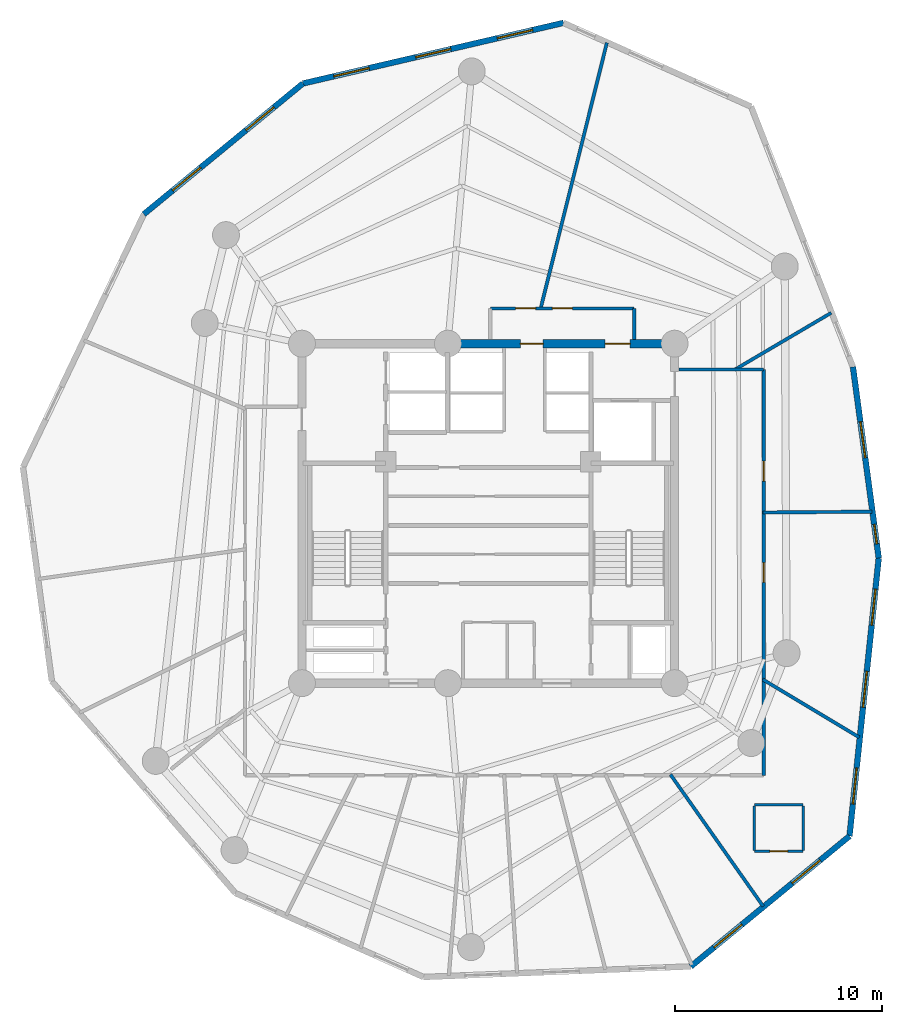
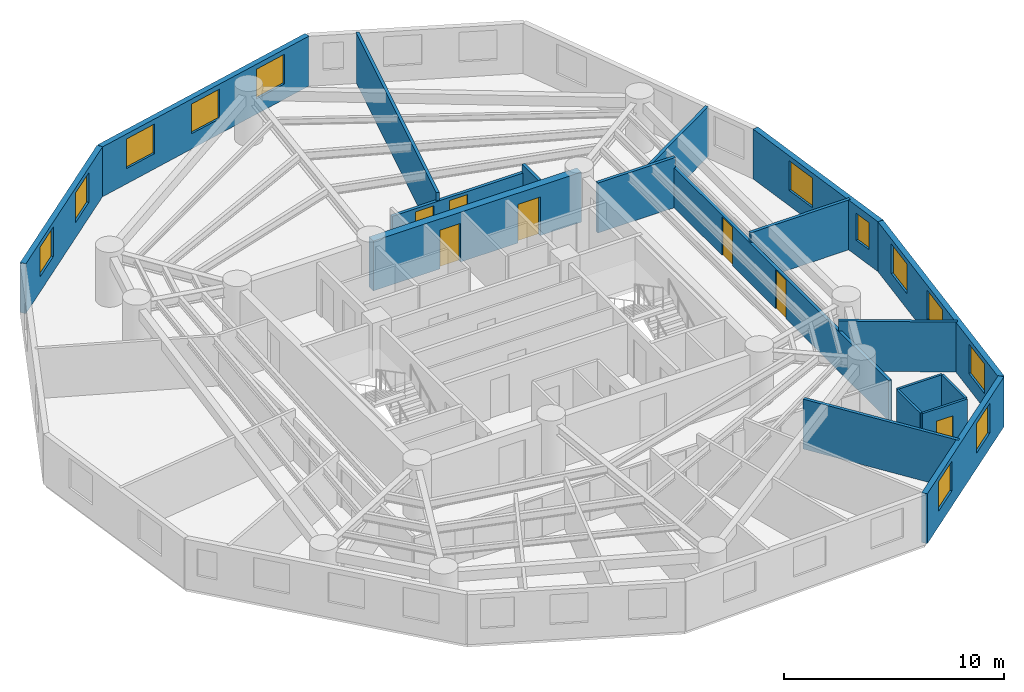
# One storey, part 5 of 7: 19 walls, 12 windows, 7 doors, 19 openings.
"""IFC4 building model written with IfcOpenShell, lengths in metres."""

from ifc_helpers import new_model, si_unit, direction, frame, frame_2d, origin, origin_with_axes, place, context, subcontext, project, spatial, rectangle, extrude, source, transform, mapped, material, layer, layer_set, type_object, element, fill, save


model = new_model("IFC4")

# Units and contexts
model_context = context("Model", 3, precision=1e-05, world=origin(), true_north=direction((0.0, 1.0)))
body_context = subcontext(model_context, "Body", "Model", "MODEL_VIEW")
ifc_project = project(units=[si_unit("LENGTHUNIT", "METRE"), si_unit("AREAUNIT", "SQUARE_METRE"), si_unit("VOLUMEUNIT", "CUBIC_METRE"), si_unit("PLANEANGLEUNIT", "RADIAN"), si_unit("MASSUNIT", "GRAM", prefix="KILO")], contexts=[model_context])

# Site, building, storey
site_placement = place(None, origin())
site = spatial("IfcSite", under=ifc_project, at=site_placement, CompositionType="ELEMENT")
building_placement = place(site_placement, origin())
building = spatial("IfcBuilding", under=site, at=building_placement, Name="Karkom Vertical University and Central Library", CompositionType="ELEMENT")
storey_placement = place(building_placement, frame((0.0, 0.0, 205.35009765625)))
storey = spatial("IfcBuildingStorey", under=building, at=storey_placement, Name="L60", CompositionType="ELEMENT", Elevation=205.35009765625)

# Wall, openings, windows
ifc_material_1 = material(Name="Brick-faced precast concrete C45/55", Category="masonry")
ifc_layer_1 = layer(ifc_material_1, 0.280029296875)
ifc_layer_set_1 = layer_set([ifc_layer_1], Name="Brick-faced precast concrete C45/55")
wall_type_1 = type_object("IfcWallType", Name="ENV-WL-BRK-280", PredefinedType="SOLIDWALL", material=ifc_layer_set_1)
wall_1_placement = place(storey_placement, frame((38.28369140625, 4.6103515625, 0.0), z_axis=(0.0, 0.0, 1.0), x_axis=(0.772578860193, 0.634918817474, 0.0)))
wall_1 = element("IfcWall", 1, at=wall_1_placement, inside=storey, type_object=wall_type_1, Name="Level 60 Brick-Faced Precast Facade Wall 05", PredefinedType="SOLIDWALL", context=body_context, shape_type="SweptSolid", body=[
    extrude(rectangle(XDim=9.924560546875, YDim=0.280029296875, at=frame_2d((4.96240234375, 0.0))), origin(), (0.0, 0.0, 1.0), 2.77490234375),
])
opening_1_placement = place(wall_1_placement, frame((1.449951171875, 0.0, 0.85009765625)))
opening_1 = element("IfcOpeningElement", 2, at=opening_1_placement, cuts=wall_1, Name="Opening WN-08", PredefinedType="OPENING", context=body_context, shape_type="SweptSolid", body=[
    extrude(rectangle(XDim=1.75, YDim=1.64990234375, at=frame_2d((0.875, 0.824951171875))), frame((0.0, 0.14990234375, 0.0), z_axis=(0.0, -1.0, 0.0), x_axis=(1.0, 0.0, 0.0)), (0.0, 0.0, 1.0), 0.300048828125),
])
opening_2_placement = place(wall_1_placement, frame((6.332763671875, 0.0, 0.85009765625)))
opening_2 = element("IfcOpeningElement", 3, at=opening_2_placement, cuts=wall_1, Name="Opening WN-08", PredefinedType="OPENING", context=body_context, shape_type="SweptSolid", body=[
    extrude(rectangle(XDim=1.75, YDim=1.64990234375, at=frame_2d((0.875, 0.824951171875))), frame((0.0, 0.14990234375, 0.0), z_axis=(0.0, -1.0, 0.0), x_axis=(1.0, 0.0, 0.0)), (0.0, 0.0, 1.0), 0.300048828125),
])
ifc_material_2 = material(Name="Aluminium thermal-break frame with solar-control IGU", Category="aluminium")
window_type_1 = type_object("IfcWindowType", Name="ENV-WIN-WN-08", PartitioningType="SINGLE_PANEL", PredefinedType="WINDOW", material=ifc_material_2)
shared_shape_1 = source(origin_with_axes(), body_context, "Body", "SweptSolid", [
    extrude(rectangle(XDim=1.75, YDim=1.64990234375, at=frame_2d((0.875, 0.824951171875))), frame((0.0, 0.030029296875, 0.0), z_axis=(0.0, -1.0, 0.0), x_axis=(1.0, 0.0, 0.0)), (0.0, 0.0, 1.0), 0.06005859375),
])
window_1_placement = place(opening_1_placement, origin())
window_1 = element("IfcWindow", 4, at=window_1_placement, inside=storey, type_object=window_type_1, Name="Level 60 Punched Window 5.1", OverallHeight=1.64990234375, OverallWidth=1.75, PartitioningType="SINGLE_PANEL", PredefinedType="WINDOW", context=body_context, shape_type="MappedRepresentation", body=[
    mapped(shared_shape_1, transform((0.0, 0.0, 0.0), scale=1.0)),
])
fill(opening_1, window_1)
window_2_placement = place(opening_2_placement, origin())
window_2 = element("IfcWindow", 5, at=window_2_placement, inside=storey, type_object=window_type_1, Name="Level 60 Punched Window 5.2", OverallHeight=1.64990234375, OverallWidth=1.75, PartitioningType="SINGLE_PANEL", PredefinedType="WINDOW", context=body_context, shape_type="MappedRepresentation", body=[
    mapped(shared_shape_1, transform((0.0, 0.0, 0.0), scale=1.0)),
])
fill(opening_2, window_2)

wall_2_placement = place(storey_placement, frame((45.951171875, 10.91162109375, 0.0), z_axis=(0.0, 0.0, 1.0), x_axis=(0.104607612257, 0.99451357329, 0.0)))
wall_2 = element("IfcWall", 6, at=wall_2_placement, inside=storey, type_object=wall_type_1, Name="Level 60 Brick-Faced Precast Facade Wall 06", PredefinedType="SOLIDWALL", context=body_context, shape_type="SweptSolid", body=[
    extrude(rectangle(XDim=13.503662109375, YDim=0.280029296875, at=frame_2d((6.751953125, 0.0))), origin(), (0.0, 0.0, 1.0), 2.77490234375),
])
opening_3_placement = place(wall_2_placement, frame((1.559814453125, 0.0, 0.85009765625)))
opening_3 = element("IfcOpeningElement", 7, at=opening_3_placement, cuts=wall_2, Name="Opening WN-08", PredefinedType="OPENING", context=body_context, shape_type="SweptSolid", body=[
    extrude(rectangle(XDim=1.75, YDim=1.64990234375, at=frame_2d((0.875, 0.824951171875))), frame((0.0, 0.14990234375, 0.0), z_axis=(0.0, -1.0, 0.0), x_axis=(1.0, 0.0, 0.0)), (0.0, 0.0, 1.0), 0.300048828125),
])
opening_4_placement = place(wall_2_placement, frame((6.253173828125, 0.0, 0.85009765625)))
opening_4 = element("IfcOpeningElement", 8, at=opening_4_placement, cuts=wall_2, Name="Opening WN-08", PredefinedType="OPENING", context=body_context, shape_type="SweptSolid", body=[
    extrude(rectangle(XDim=1.75, YDim=1.64990234375, at=frame_2d((0.875, 0.824951171875))), frame((0.0, 0.14990234375, 0.0), z_axis=(0.0, -1.0, 0.0), x_axis=(1.0, 0.0, 0.0)), (0.0, 0.0, 1.0), 0.300048828125),
])
opening_5_placement = place(wall_2_placement, frame((10.250244140625, 0.0, 0.85009765625)))
opening_5 = element("IfcOpeningElement", 9, at=opening_5_placement, cuts=wall_2, Name="Opening WN-08", PredefinedType="OPENING", context=body_context, shape_type="SweptSolid", body=[
    extrude(rectangle(XDim=1.75, YDim=1.64990234375, at=frame_2d((0.875, 0.824951171875))), frame((0.0, 0.14990234375, 0.0), z_axis=(0.0, -1.0, 0.0), x_axis=(1.0, 0.0, 0.0)), (0.0, 0.0, 1.0), 0.300048828125),
])
window_3_placement = place(opening_3_placement, origin())
window_3 = element("IfcWindow", 10, at=window_3_placement, inside=storey, type_object=window_type_1, Name="Level 60 Punched Window 6.1", OverallHeight=1.64990234375, OverallWidth=1.75, PartitioningType="SINGLE_PANEL", PredefinedType="WINDOW", context=body_context, shape_type="MappedRepresentation", body=[
    mapped(shared_shape_1, transform((0.0, 0.0, 0.0), scale=1.0)),
])
fill(opening_3, window_3)
window_4_placement = place(opening_4_placement, origin())
window_4 = element("IfcWindow", 11, at=window_4_placement, inside=storey, type_object=window_type_1, Name="Level 60 Punched Window 6.2", OverallHeight=1.64990234375, OverallWidth=1.75, PartitioningType="SINGLE_PANEL", PredefinedType="WINDOW", context=body_context, shape_type="MappedRepresentation", body=[
    mapped(shared_shape_1, transform((0.0, 0.0, 0.0), scale=1.0)),
])
fill(opening_4, window_4)
window_5_placement = place(opening_5_placement, origin())
window_5 = element("IfcWindow", 12, at=window_5_placement, inside=storey, type_object=window_type_1, Name="Level 60 Punched Window 6.3", OverallHeight=1.64990234375, OverallWidth=1.75, PartitioningType="SINGLE_PANEL", PredefinedType="WINDOW", context=body_context, shape_type="MappedRepresentation", body=[
    mapped(shared_shape_1, transform((0.0, 0.0, 0.0), scale=1.0)),
])
fill(opening_5, window_5)

wall_3_placement = place(storey_placement, frame((47.36376953125, 24.34130859375, 0.0), z_axis=(0.0, 0.0, 1.0), x_axis=(-0.133639101201, 0.991030065452, 0.0)))
wall_3 = element("IfcWall", 13, at=wall_3_placement, inside=storey, type_object=wall_type_1, Name="Level 60 Brick-Faced Precast Facade Wall 07", PredefinedType="SOLIDWALL", context=body_context, shape_type="SweptSolid", body=[
    extrude(rectangle(XDim=9.320556640625, YDim=0.280029296875, at=frame_2d((4.66015625, 0.0))), origin(), (0.0, 0.0, 1.0), 2.77490234375),
])
opening_6_placement = place(wall_3_placement, frame((0.69091796875, 0.0, 0.85009765625)))
opening_6 = element("IfcOpeningElement", 14, at=opening_6_placement, cuts=wall_3, Name="Opening WN-12", PredefinedType="OPENING", context=body_context, shape_type="SweptSolid", body=[
    extrude(rectangle(XDim=0.949951171875, YDim=1.5, at=frame_2d((0.47509765625, 0.75))), frame((0.0, 0.14990234375, 0.0), z_axis=(0.0, -1.0, 0.0), x_axis=(1.0, 0.0, 0.0)), (0.0, 0.0, 1.0), 0.300048828125),
])
opening_7_placement = place(wall_3_placement, frame((4.89111328125, 0.0, 0.85009765625)))
opening_7 = element("IfcOpeningElement", 15, at=opening_7_placement, cuts=wall_3, Name="Opening WN-08", PredefinedType="OPENING", context=body_context, shape_type="SweptSolid", body=[
    extrude(rectangle(XDim=1.75, YDim=1.64990234375, at=frame_2d((0.875, 0.824951171875))), frame((0.0, 0.14990234375, 0.0), z_axis=(0.0, -1.0, 0.0), x_axis=(1.0, 0.0, 0.0)), (0.0, 0.0, 1.0), 0.300048828125),
])
window_type_2 = type_object("IfcWindowType", Name="ENV-WIN-WN-12", PartitioningType="SINGLE_PANEL", PredefinedType="WINDOW", material=ifc_material_2)
shared_shape_2 = source(origin_with_axes(), body_context, "Body", "SweptSolid", [
    extrude(rectangle(XDim=0.949951171875, YDim=1.5, at=frame_2d((0.47509765625, 0.75))), frame((0.0, 0.030029296875, 0.0), z_axis=(0.0, -1.0, 0.0), x_axis=(1.0, 0.0, 0.0)), (0.0, 0.0, 1.0), 0.06005859375),
])
window_6_placement = place(opening_6_placement, origin())
window_6 = element("IfcWindow", 16, at=window_6_placement, inside=storey, type_object=window_type_2, Name="Level 60 Punched Window 7.1", OverallHeight=1.5, OverallWidth=0.949951171875, PartitioningType="SINGLE_PANEL", PredefinedType="WINDOW", context=body_context, shape_type="MappedRepresentation", body=[
    mapped(shared_shape_2, transform((0.0, 0.0, 0.0), scale=1.0)),
])
fill(opening_6, window_6)
window_7_placement = place(opening_7_placement, origin())
window_7 = element("IfcWindow", 17, at=window_7_placement, inside=storey, type_object=window_type_1, Name="Level 60 Punched Window 7.2", OverallHeight=1.64990234375, OverallWidth=1.75, PartitioningType="SINGLE_PANEL", PredefinedType="WINDOW", context=body_context, shape_type="MappedRepresentation", body=[
    mapped(shared_shape_1, transform((0.0, 0.0, 0.0), scale=1.0)),
])
fill(opening_7, window_7)

wall_4_placement = place(storey_placement, frame((32.135986328125, 50.19921875, 0.0), z_axis=(0.0, 0.0, 1.0), x_axis=(-0.973978370764, -0.226640978826, 0.0)))
wall_4 = element("IfcWall", 18, at=wall_4_placement, inside=storey, type_object=wall_type_1, Name="Level 60 Brick-Faced Precast Facade Wall 10", PredefinedType="SOLIDWALL", context=body_context, shape_type="SweptSolid", body=[
    extrude(rectangle(XDim=12.9287109375, YDim=0.280029296875, at=frame_2d((6.46435546875, 0.0))), origin(), (0.0, 0.0, 1.0), 2.77490234375),
])
opening_8_placement = place(wall_4_placement, frame((1.533203125, 0.0, 0.85009765625)))
opening_8 = element("IfcOpeningElement", 19, at=opening_8_placement, cuts=wall_4, Name="Opening WN-08", PredefinedType="OPENING", context=body_context, shape_type="SweptSolid", body=[
    extrude(rectangle(XDim=1.75, YDim=1.64990234375, at=frame_2d((0.875, 0.824951171875))), frame((0.0, 0.14990234375, 0.0), z_axis=(0.0, -1.0, 0.0), x_axis=(1.0, 0.0, 0.0)), (0.0, 0.0, 1.0), 0.300048828125),
])
opening_9_placement = place(wall_4_placement, frame((5.589599609375, 0.0, 0.85009765625)))
opening_9 = element("IfcOpeningElement", 20, at=opening_9_placement, cuts=wall_4, Name="Opening WN-08", PredefinedType="OPENING", context=body_context, shape_type="SweptSolid", body=[
    extrude(rectangle(XDim=1.75, YDim=1.64990234375, at=frame_2d((0.875, 0.824951171875))), frame((0.0, 0.14990234375, 0.0), z_axis=(0.0, -1.0, 0.0), x_axis=(1.0, 0.0, 0.0)), (0.0, 0.0, 1.0), 0.300048828125),
])
opening_10_placement = place(wall_4_placement, frame((9.645751953125, 0.0, 0.85009765625)))
opening_10 = element("IfcOpeningElement", 21, at=opening_10_placement, cuts=wall_4, Name="Opening WN-08", PredefinedType="OPENING", context=body_context, shape_type="SweptSolid", body=[
    extrude(rectangle(XDim=1.75, YDim=1.64990234375, at=frame_2d((0.875, 0.824951171875))), frame((0.0, 0.14990234375, 0.0), z_axis=(0.0, -1.0, 0.0), x_axis=(1.0, 0.0, 0.0)), (0.0, 0.0, 1.0), 0.300048828125),
])
window_8_placement = place(opening_8_placement, origin())
window_8 = element("IfcWindow", 22, at=window_8_placement, inside=storey, type_object=window_type_1, Name="Level 60 Punched Window 10.1", OverallHeight=1.64990234375, OverallWidth=1.75, PartitioningType="SINGLE_PANEL", PredefinedType="WINDOW", context=body_context, shape_type="MappedRepresentation", body=[
    mapped(shared_shape_1, transform((0.0, 0.0, 0.0), scale=1.0)),
])
fill(opening_8, window_8)
window_9_placement = place(opening_9_placement, origin())
window_9 = element("IfcWindow", 23, at=window_9_placement, inside=storey, type_object=window_type_1, Name="Level 60 Punched Window 10.2", OverallHeight=1.64990234375, OverallWidth=1.75, PartitioningType="SINGLE_PANEL", PredefinedType="WINDOW", context=body_context, shape_type="MappedRepresentation", body=[
    mapped(shared_shape_1, transform((0.0, 0.0, 0.0), scale=1.0)),
])
fill(opening_9, window_9)
window_10_placement = place(opening_10_placement, origin())
window_10 = element("IfcWindow", 24, at=window_10_placement, inside=storey, type_object=window_type_1, Name="Level 60 Punched Window 10.3", OverallHeight=1.64990234375, OverallWidth=1.75, PartitioningType="SINGLE_PANEL", PredefinedType="WINDOW", context=body_context, shape_type="MappedRepresentation", body=[
    mapped(shared_shape_1, transform((0.0, 0.0, 0.0), scale=1.0)),
])
fill(opening_10, window_10)

wall_5_placement = place(storey_placement, frame((19.543701171875, 47.26904296875, 0.0), z_axis=(0.0, 0.0, 1.0), x_axis=(-0.772601540106, -0.634891219207, 0.0)))
wall_5 = element("IfcWall", 25, at=wall_5_placement, inside=storey, type_object=wall_type_1, Name="Level 60 Brick-Faced Precast Facade Wall 11", PredefinedType="SOLIDWALL", context=body_context, shape_type="SweptSolid", body=[
    extrude(rectangle(XDim=9.94580078125, YDim=0.280029296875, at=frame_2d((4.972900390625, 0.0))), origin(), (0.0, 0.0, 1.0), 2.77490234375),
])
opening_11_placement = place(wall_5_placement, frame((1.801513671875, 0.0, 0.85009765625)))
opening_11 = element("IfcOpeningElement", 26, at=opening_11_placement, cuts=wall_5, Name="Opening WN-08", PredefinedType="OPENING", context=body_context, shape_type="SweptSolid", body=[
    extrude(rectangle(XDim=1.75, YDim=1.64990234375, at=frame_2d((0.875, 0.824951171875))), frame((0.0, 0.14990234375, 0.0), z_axis=(0.0, -1.0, 0.0), x_axis=(1.0, 0.0, 0.0)), (0.0, 0.0, 1.0), 0.300048828125),
])
opening_12_placement = place(wall_5_placement, frame((6.394287109375, 0.0, 0.85009765625)))
opening_12 = element("IfcOpeningElement", 27, at=opening_12_placement, cuts=wall_5, Name="Opening WN-08", PredefinedType="OPENING", context=body_context, shape_type="SweptSolid", body=[
    extrude(rectangle(XDim=1.75, YDim=1.64990234375, at=frame_2d((0.875, 0.824951171875))), frame((0.0, 0.14990234375, 0.0), z_axis=(0.0, -1.0, 0.0), x_axis=(1.0, 0.0, 0.0)), (0.0, 0.0, 1.0), 0.300048828125),
])
window_11_placement = place(opening_11_placement, origin())
window_11 = element("IfcWindow", 28, at=window_11_placement, inside=storey, type_object=window_type_1, Name="Level 60 Punched Window 11.1", OverallHeight=1.64990234375, OverallWidth=1.75, PartitioningType="SINGLE_PANEL", PredefinedType="WINDOW", context=body_context, shape_type="MappedRepresentation", body=[
    mapped(shared_shape_1, transform((0.0, 0.0, 0.0), scale=1.0)),
])
fill(opening_11, window_11)
window_12_placement = place(opening_12_placement, origin())
window_12 = element("IfcWindow", 29, at=window_12_placement, inside=storey, type_object=window_type_1, Name="Level 60 Punched Window 11.2", OverallHeight=1.64990234375, OverallWidth=1.75, PartitioningType="SINGLE_PANEL", PredefinedType="WINDOW", context=body_context, shape_type="MappedRepresentation", body=[
    mapped(shared_shape_1, transform((0.0, 0.0, 0.0), scale=1.0)),
])
fill(opening_12, window_12)

# Wall, openings, doors
ifc_material_3 = material(Name="Insulated metal-stud drywall 160mm", Category="gypsum")
ifc_layer_2 = layer(ifc_material_3, 0.159912109375)
ifc_layer_set_2 = layer_set([ifc_layer_2], Name="Insulated metal-stud drywall 160mm")
wall_type_2 = type_object("IfcWallType", Name="INT-WL-COR-160", PredefinedType="PARTITIONING", material=ifc_layer_set_2)
wall_6_placement = place(storey_placement, frame((41.800048828125, 33.449951171875, 0.0), z_axis=(0.0, 0.0, 1.0), x_axis=(0.0, -1.0, 0.0)))
wall_6 = element("IfcWall", 30, at=wall_6_placement, inside=storey, type_object=wall_type_2, Name="Level 60 Interior Partition Wall L60-CORW-CW-005", PredefinedType="PARTITIONING", context=body_context, shape_type="SweptSolid", body=[
    extrude(rectangle(XDim=19.599853515625, YDim=0.159912109375, at=frame_2d((9.7998046875, 0.0))), origin(), (0.0, 0.0, 1.0), 2.224853515625),
])
opening_13_placement = place(wall_6_placement, frame((9.324951171875, 0.0, 0.0)))
opening_13 = element("IfcOpeningElement", 31, at=opening_13_placement, cuts=wall_6, Name="Opening FD-RM2", PredefinedType="OPENING", context=body_context, shape_type="SweptSolid", body=[
    extrude(rectangle(XDim=0.9599609375, YDim=2.14990234375, at=frame_2d((0.47998046875, 1.074951171875))), frame((0.0, 0.08984375, 0.0), z_axis=(0.0, -1.0, 0.0), x_axis=(1.0, 0.0, 0.0)), (0.0, 0.0, 1.0), 0.179931640625),
])
opening_14_placement = place(wall_6_placement, frame((4.425048828125, 0.0, 0.0)))
opening_14 = element("IfcOpeningElement", 32, at=opening_14_placement, cuts=wall_6, Name="Opening FD-RM2", PredefinedType="OPENING", context=body_context, shape_type="SweptSolid", body=[
    extrude(rectangle(XDim=0.9599609375, YDim=2.14990234375, at=frame_2d((0.47998046875, 1.074951171875))), frame((0.0, 0.08984375, 0.0), z_axis=(0.0, -1.0, 0.0), x_axis=(1.0, 0.0, 0.0)), (0.0, 0.0, 1.0), 0.179931640625),
])
ifc_material_4 = material(Name="Fire-rated oak veneer door", Category="wood")
door_type_1 = type_object("IfcDoorType", Name="INT-DR-FRM2", OperationType="NOTDEFINED", PredefinedType="DOOR", material=ifc_material_4)
shared_shape_3 = source(origin_with_axes(), body_context, "Body", "SweptSolid", [
    extrude(rectangle(XDim=0.9599609375, YDim=2.14990234375, at=frame_2d((0.47998046875, 1.074951171875))), frame((0.0, 0.02490234375, 0.0), z_axis=(0.0, -1.0, 0.0), x_axis=(1.0, 0.0, 0.0)), (0.0, 0.0, 1.0), 0.050048828125),
])
door_1_placement = place(opening_13_placement, origin())
door_1 = element("IfcDoor", 33, at=door_1_placement, inside=storey, type_object=door_type_1, Name="Level 60 Room Entry Door 101", OperationType="SINGLE_SWING_RIGHT", OverallHeight=2.14990234375, OverallWidth=0.9599609375, PredefinedType="DOOR", context=body_context, shape_type="MappedRepresentation", body=[
    mapped(shared_shape_3, transform((0.0, 0.0, 0.0), scale=1.0)),
])
fill(opening_13, door_1)
door_2_placement = place(opening_14_placement, origin())
door_2 = element("IfcDoor", 34, at=door_2_placement, inside=storey, type_object=door_type_1, Name="Level 60 Room Entry Door 111", OperationType="SINGLE_SWING_LEFT", OverallHeight=2.14990234375, OverallWidth=0.9599609375, PredefinedType="DOOR", context=body_context, shape_type="MappedRepresentation", body=[
    mapped(shared_shape_3, transform((0.0, 0.0, 0.0), scale=1.0)),
])
fill(opening_14, door_2)

# Walls
wall_7_placement = place(storey_placement, frame((31.02294921875, 36.370849609375, 0.0), z_axis=(0.0, 0.0, 1.0), x_axis=(0.241933352584, 0.970292869657, 0.0)))
element("IfcWall", 35, at=wall_7_placement, inside=storey, type_object=wall_type_2, Name="Level 60 Interior Partition Wall L60-PW-014", PredefinedType="PARTITIONING", context=body_context, shape_type="SweptSolid", body=[
    extrude(rectangle(XDim=13.2587890625, YDim=0.159912109375, at=frame_2d((6.62939453125, 0.0))), origin(), (0.0, 0.0, 1.0), 2.77490234375),
])
wall_8_placement = place(storey_placement, frame((37.300537109375, 13.88671875, 0.0), z_axis=(0.0, 0.0, 1.0), x_axis=(0.575425843923, -0.817853958935, 0.0)))
element("IfcWall", 36, at=wall_8_placement, inside=storey, type_object=wall_type_2, Name="Level 60 Interior Partition Wall L60-PW-010", PredefinedType="PARTITIONING", context=body_context, shape_type="SweptSolid", body=[
    extrude(rectangle(XDim=7.78759765625, YDim=0.159912109375, at=frame_2d((3.893798828125, 0.0))), origin(), (0.0, 0.0, 1.0), 2.77490234375),
])

# Wall, openings, doors
wall_9_placement = place(storey_placement, frame((28.60009765625, 36.39990234375, 0.0), z_axis=(0.0, 0.0, 1.0), x_axis=(1.0, 0.0, 0.0)))
wall_9 = element("IfcWall", 37, at=wall_9_placement, inside=storey, type_object=wall_type_2, Name="Level 60 Interior Partition Wall L60-CORW-CW-007", PredefinedType="PARTITIONING", context=body_context, shape_type="SweptSolid", body=[
    extrude(rectangle(XDim=6.949951171875, YDim=0.159912109375, at=frame_2d((3.47509765625, 0.0))), origin(), (0.0, 0.0, 1.0), 2.324951171875),
])
opening_15_placement = place(wall_9_placement, frame((3.0, 0.0, 0.0)))
opening_15 = element("IfcOpeningElement", 38, at=opening_15_placement, cuts=wall_9, Name="Opening FD-RM2", PredefinedType="OPENING", context=body_context, shape_type="SweptSolid", body=[
    extrude(rectangle(XDim=0.9599609375, YDim=2.14990234375, at=frame_2d((0.47998046875, 1.074951171875))), frame((0.0, 0.08984375, 0.0), z_axis=(0.0, -1.0, 0.0), x_axis=(1.0, 0.0, 0.0)), (0.0, 0.0, 1.0), 0.179931640625),
])
opening_16_placement = place(wall_9_placement, frame((1.222412109375, 0.0, 0.0)))
opening_16 = element("IfcOpeningElement", 39, at=opening_16_placement, cuts=wall_9, Name="Opening FD-RM2", PredefinedType="OPENING", context=body_context, shape_type="SweptSolid", body=[
    extrude(rectangle(XDim=0.9599609375, YDim=2.14990234375, at=frame_2d((0.47998046875, 1.074951171875))), frame((0.0, 0.08984375, 0.0), z_axis=(0.0, -1.0, 0.0), x_axis=(1.0, 0.0, 0.0)), (0.0, 0.0, 1.0), 0.179931640625),
])
door_3_placement = place(opening_15_placement, origin())
door_3 = element("IfcDoor", 40, at=door_3_placement, inside=storey, type_object=door_type_1, Name="Level 60 Room Entry Door 121", OperationType="SINGLE_SWING_RIGHT", OverallHeight=2.14990234375, OverallWidth=0.9599609375, PredefinedType="DOOR", context=body_context, shape_type="MappedRepresentation", body=[
    mapped(shared_shape_3, transform((0.0, 0.0, 0.0), scale=1.0)),
])
fill(opening_15, door_3)
door_4_placement = place(opening_16_placement, origin())
door_4 = element("IfcDoor", 41, at=door_4_placement, inside=storey, type_object=door_type_1, Name="Level 60 Room Entry Door 131", OperationType="SINGLE_SWING_LEFT", OverallHeight=2.14990234375, OverallWidth=0.9599609375, PredefinedType="DOOR", context=body_context, shape_type="MappedRepresentation", body=[
    mapped(shared_shape_3, transform((0.0, 0.0, 0.0), scale=1.0)),
])
fill(opening_16, door_4)

# Walls
wall_10_placement = place(storey_placement, frame((40.39111328125, 33.434814453125, 0.0), z_axis=(0.0, 0.0, 1.0), x_axis=(0.861631176483, 0.507534940386, 0.0)))
element("IfcWall", 42, at=wall_10_placement, inside=storey, type_object=wall_type_2, Name="Level 60 Interior Partition Wall L60-PW-013", PredefinedType="PARTITIONING", context=body_context, shape_type="SweptSolid", body=[
    extrude(rectangle(XDim=5.428955078125, YDim=0.159912109375, at=frame_2d((2.71435546875, 0.0))), origin(), (0.0, 0.0, 1.0), 2.77490234375),
])
wall_11_placement = place(storey_placement, frame((41.761474609375, 18.477783203125, 0.0), z_axis=(0.0, 0.0, 1.0), x_axis=(0.857619753575, -0.514284316579, 0.0)))
element("IfcWall", 43, at=wall_11_placement, inside=storey, type_object=wall_type_2, Name="Level 60 Interior Partition Wall L60-PW-011", PredefinedType="PARTITIONING", context=body_context, shape_type="SweptSolid", body=[
    extrude(rectangle(XDim=5.43408203125, YDim=0.159912109375, at=frame_2d((2.717041015625, 0.0))), origin(), (0.0, 0.0, 1.0), 2.77490234375),
])
wall_12_placement = place(storey_placement, frame((41.77001953125, 26.54345703125, 0.0), z_axis=(0.0, 0.0, 1.0), x_axis=(0.999969299607, 0.007835805241, 0.0)))
element("IfcWall", 44, at=wall_12_placement, inside=storey, type_object=wall_type_2, Name="Level 60 Interior Partition Wall L60-PW-012", PredefinedType="PARTITIONING", context=body_context, shape_type="SweptSolid", body=[
    extrude(rectangle(XDim=5.265625, YDim=0.159912109375, at=frame_2d((2.6328125, 0.0))), origin(), (0.0, 0.0, 1.0), 2.77490234375),
])
wall_13_placement = place(storey_placement, frame((37.70703125, 33.449951171875, 0.0), z_axis=(0.0, 0.0, 1.0), x_axis=(1.0, 0.0, 0.0)))
element("IfcWall", 45, at=wall_13_placement, inside=storey, type_object=wall_type_2, Name="Level 60 Interior Partition Wall L60-CORW-CW-004", PredefinedType="PARTITIONING", context=body_context, shape_type="SweptSolid", body=[
    extrude(rectangle(XDim=4.093017578125, YDim=0.159912109375, at=frame_2d((2.04638671875, 0.0))), origin(), (0.0, 0.0, 1.0), 2.77490234375),
])
wall_14_placement = place(storey_placement, frame((35.550048828125, 36.39990234375, 0.0), z_axis=(0.0, 0.0, 1.0), x_axis=(0.0, -1.0, 0.0)))
element("IfcWall", 46, at=wall_14_placement, inside=storey, type_object=wall_type_2, Name="Level 60 Interior Partition Wall L60-CORW-CW-008", PredefinedType="PARTITIONING", context=body_context, shape_type="SweptSolid", body=[
    extrude(rectangle(XDim=1.492919921875, YDim=0.159912109375, at=frame_2d((0.74658203125, 0.0))), origin(), (0.0, 0.0, 1.0), 2.77490234375),
])

# Wall, opening, door
ifc_material_5 = material(Name="Moisture-resistant drywall 120mm", Category="gypsum")
ifc_layer_3 = layer(ifc_material_5, 0.1201171875)
ifc_layer_set_3 = layer_set([ifc_layer_3], Name="Moisture-resistant drywall 120mm")
wall_type_3 = type_object("IfcWallType", Name="INT-WL-INT-120F", PredefinedType="PARTITIONING", material=ifc_layer_set_3)
wall_15_placement = place(storey_placement, frame((41.35107421875, 10.176025390625, 0.0), z_axis=(0.0, 0.0, 1.0), x_axis=(1.0, 0.0, 0.0)))
wall_15 = element("IfcWall", 47, at=wall_15_placement, inside=storey, type_object=wall_type_3, Name="Level 60 Interior Partition Wall L60-ENS-09-S", PredefinedType="PARTITIONING", context=body_context, shape_type="SweptSolid", body=[
    extrude(rectangle(XDim=2.35986328125, YDim=0.1201171875, at=frame_2d((1.179931640625, 0.0))), origin(), (0.0, 0.0, 1.0), 2.77490234375),
])
opening_17_placement = place(wall_15_placement, frame((0.75, 0.0, 0.0)))
opening_17 = element("IfcOpeningElement", 48, at=opening_17_placement, cuts=wall_15, Name="Opening D-BATH", PredefinedType="OPENING", context=body_context, shape_type="SweptSolid", body=[
    extrude(rectangle(XDim=0.860107421875, YDim=2.10009765625, at=frame_2d((0.43017578125, 1.050048828125))), frame((0.0, 0.070068359375, 0.0), z_axis=(0.0, -1.0, 0.0), x_axis=(1.0, 0.0, 0.0)), (0.0, 0.0, 1.0), 0.14013671875),
])
ifc_material_6 = material(Name="Moisture-resistant oak door", Category="wood")
door_type_2 = type_object("IfcDoorType", Name="INT-DR-BATH", OperationType="NOTDEFINED", PredefinedType="DOOR", material=ifc_material_6)
shared_shape_4 = source(origin_with_axes(), body_context, "Body", "SweptSolid", [
    extrude(rectangle(XDim=0.860107421875, YDim=2.10009765625, at=frame_2d((0.43017578125, 1.050048828125))), frame((0.0, 0.02490234375, 0.0), z_axis=(0.0, -1.0, 0.0), x_axis=(1.0, 0.0, 0.0)), (0.0, 0.0, 1.0), 0.050048828125),
])
door_5_placement = place(opening_17_placement, origin())
door_5 = element("IfcDoor", 49, at=door_5_placement, inside=storey, type_object=door_type_2, Name="Level 60 En-Suite Bathroom Door 09", OperationType="SINGLE_SWING_LEFT", OverallHeight=2.10009765625, OverallWidth=0.860107421875, PredefinedType="DOOR", context=body_context, shape_type="MappedRepresentation", body=[
    mapped(shared_shape_4, transform((0.0, 0.0, 0.0), scale=1.0)),
])
fill(opening_17, door_5)

# Walls
wall_16_placement = place(storey_placement, frame((43.7109375, 12.416015625, 0.0), z_axis=(0.0, 0.0, 1.0), x_axis=(-1.0, 0.0, 0.0)))
element("IfcWall", 50, at=wall_16_placement, inside=storey, type_object=wall_type_3, Name="Level 60 Interior Partition Wall L60-ENS-09-N", PredefinedType="PARTITIONING", context=body_context, shape_type="SweptSolid", body=[
    extrude(rectangle(XDim=2.35986328125, YDim=0.1201171875, at=frame_2d((1.179931640625, 0.0))), origin(), (0.0, 0.0, 1.0), 2.77490234375),
])
for number, where, z_axis, x_axis, name in (
    (51, (43.7109375, 10.22607421875, 0.0), (0.0, 0.0, 1.0), (0.0, 1.0, 0.0), "Level 60 Interior Partition Wall L60-ENS-09-E"),
    (52, (41.35107421875, 12.365966796875, 0.0), (0.0, 0.0, 1.0), (0.0, -1.0, 0.0), "Level 60 Interior Partition Wall L60-ENS-09-W"),
):
    element("IfcWall", number, at=place(storey_placement, frame(where, z_axis=z_axis, x_axis=x_axis)), inside=storey, type_object=wall_type_3, Name=name, PredefinedType="PARTITIONING", context=body_context, shape_type="SweptSolid", body=[
        extrude(rectangle(XDim=2.139892578125, YDim=0.1201171875, at=frame_2d((1.06982421875, 0.0))), origin(), (0.0, 0.0, 1.0), 2.77490234375),
    ])

# Wall, openings, doors
ifc_material_7 = material(Name="Concrete C50/60", Category="concrete")
ifc_layer_4 = layer(ifc_material_7, 0.39990234375)
ifc_layer_set_4 = layer_set([ifc_layer_4], Name="Concrete C50/60")
wall_type_4 = type_object("IfcWallType", Name="STR-WL-CW-400", PredefinedType="SHEAR", material=ifc_layer_set_4)
wall_17_placement = place(storey_placement, frame((37.5, 34.699951171875, 0.0), z_axis=(0.0, 0.0, 1.0), x_axis=(-1.0, 0.0, 0.0)))
wall_17 = element("IfcWall", 53, at=wall_17_placement, inside=storey, type_object=wall_type_4, Name="Level 60 Central Core Shear Wall NW1", PredefinedType="SHEAR", context=body_context, shape_type="SweptSolid", body=[
    extrude(rectangle(XDim=10.949951171875, YDim=0.39990234375, at=frame_2d((5.47509765625, 0.0))), origin(), (0.0, 0.0, 1.0), 2.77490234375),
])
opening_18_placement = place(wall_17_placement, frame((2.14990234375, 0.0, 0.0)))
opening_18 = element("IfcOpeningElement", 54, at=opening_18_placement, cuts=wall_17, Name="Opening FD-SUB1", PredefinedType="OPENING", context=body_context, shape_type="SweptSolid", body=[
    extrude(rectangle(XDim=1.199951171875, YDim=2.14990234375, at=frame_2d((0.60009765625, 1.074951171875))), frame((0.0, 0.2099609375, 0.0), z_axis=(0.0, -1.0, 0.0), x_axis=(1.0, 0.0, 0.0)), (0.0, 0.0, 1.0), 0.419921875),
])
opening_19_placement = place(wall_17_placement, frame((6.35009765625, 0.0, 0.0)))
opening_19 = element("IfcOpeningElement", 55, at=opening_19_placement, cuts=wall_17, Name="Opening FD-FFL", PredefinedType="OPENING", context=body_context, shape_type="SweptSolid", body=[
    extrude(rectangle(XDim=1.10009765625, YDim=2.14990234375, at=frame_2d((0.550048828125, 1.074951171875))), frame((0.0, 0.2099609375, 0.0), z_axis=(0.0, -1.0, 0.0), x_axis=(1.0, 0.0, 0.0)), (0.0, 0.0, 1.0), 0.419921875),
])
ifc_material_8 = material(Name="Painted steel smoke-seal fire door", Category="steel")
door_type_3 = type_object("IfcDoorType", Name="INT-DR-FFL", OperationType="NOTDEFINED", PredefinedType="DOOR", material=ifc_material_8)
shared_shape_5 = source(origin_with_axes(), body_context, "Body", "SweptSolid", [
    extrude(rectangle(XDim=1.10009765625, YDim=2.14990234375, at=frame_2d((0.550048828125, 1.074951171875))), frame((0.0, 0.02490234375, 0.0), z_axis=(0.0, -1.0, 0.0), x_axis=(1.0, 0.0, 0.0)), (0.0, 0.0, 1.0), 0.050048828125),
])
door_6_placement = place(opening_19_placement, origin())
door_6 = element("IfcDoor", 56, at=door_6_placement, inside=storey, type_object=door_type_3, Name="Level 60 North Core Lobby Exit Door", OperationType="SINGLE_SWING_RIGHT", OverallHeight=2.14990234375, OverallWidth=1.10009765625, PredefinedType="DOOR", context=body_context, shape_type="MappedRepresentation", body=[
    mapped(shared_shape_5, transform((0.0, 0.0, 0.0), scale=1.0)),
])
fill(opening_19, door_6)
ifc_material_9 = material(Name="Painted steel fire door", Category="steel")
door_type_4 = type_object("IfcDoorType", Name="INT-DR-SUB1", OperationType="NOTDEFINED", PredefinedType="DOOR", material=ifc_material_9)
shared_shape_6 = source(origin_with_axes(), body_context, "Body", "SweptSolid", [
    extrude(rectangle(XDim=1.199951171875, YDim=2.14990234375, at=frame_2d((0.60009765625, 1.074951171875))), frame((0.0, 0.02490234375, 0.0), z_axis=(0.0, -1.0, 0.0), x_axis=(1.0, 0.0, 0.0)), (0.0, 0.0, 1.0), 0.050048828125),
])
door_7_placement = place(opening_18_placement, origin())
door_7 = element("IfcDoor", 57, at=door_7_placement, inside=storey, type_object=door_type_4, Name="Level 60 Service Lobby Fire Door", OperationType="SINGLE_SWING_RIGHT", OverallHeight=2.14990234375, OverallWidth=1.199951171875, PredefinedType="DOOR", context=body_context, shape_type="MappedRepresentation", body=[
    mapped(shared_shape_6, transform((0.0, 0.0, 0.0), scale=1.0)),
])
fill(opening_18, door_7)

save(model, "model.ifc")
